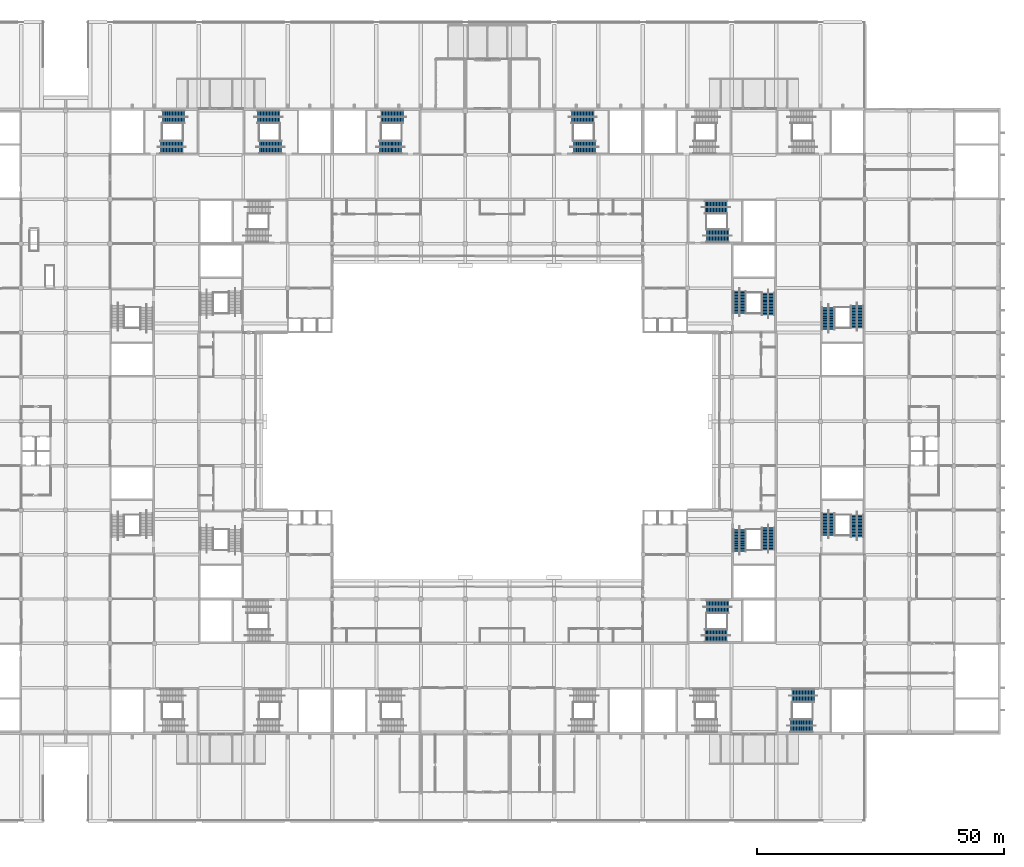
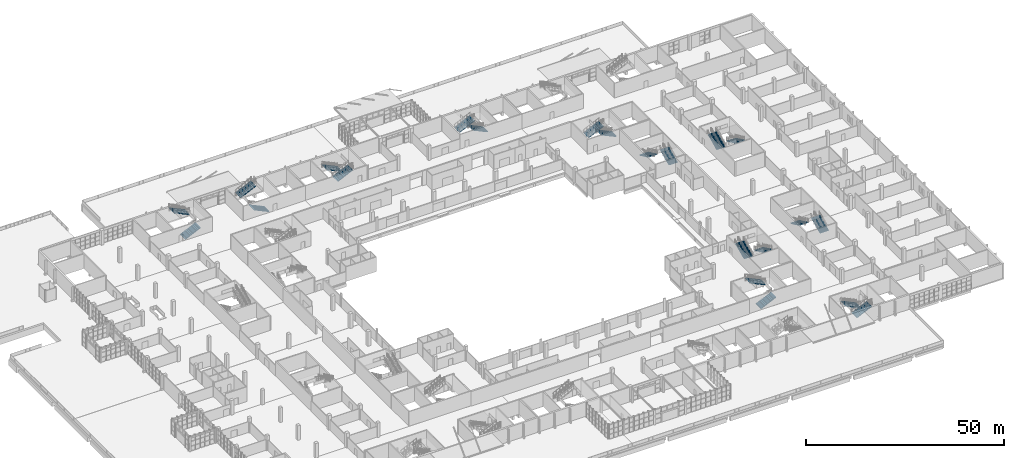
# One storey, part 110 of 168: 22 stair flights, 11 elements without a shape of their own.
"""IFC4 building model written with IfcOpenShell, lengths in metres."""

from ifc_helpers import new_model, si_unit, direction, frame, origin, place, context, subcontext, project, spatial, polyline, outline, extrude, material, type_object, element, aggregate, save


model = new_model("IFC4")

# Units and contexts
model_context = context("Model", 3, precision=1e-05, world=origin(), true_north=direction((0.0, 1.0)))
body_context = subcontext(model_context, "Body", "Model", "MODEL_VIEW")
ifc_project = project(units=[si_unit("LENGTHUNIT", "METRE"), si_unit("AREAUNIT", "SQUARE_METRE"), si_unit("VOLUMEUNIT", "CUBIC_METRE"), si_unit("PLANEANGLEUNIT", "RADIAN"), si_unit("MASSUNIT", "GRAM", prefix="KILO")], contexts=[model_context])

# Site, building, storey
site_placement = place(None, origin())
site = spatial("IfcSite", under=ifc_project, at=site_placement, CompositionType="ELEMENT")
building_placement = place(site_placement, origin())
building = spatial("IfcBuilding", under=site, at=building_placement, Name="Silverbay Arena", CompositionType="ELEMENT")
storey_placement = place(building_placement, frame((0.0, 0.0, 7.0)))
storey = spatial("IfcBuildingStorey", under=building, at=storey_placement, Name="L01", CompositionType="ELEMENT", Elevation=7.0)

# Stair, stair flights
ifc_material_1 = material(Name="Concrete Grade C45", Category="concrete")
stair_type = type_object("IfcStairType", Name="Stair 2600 wide 32 risers 140.6 x 300", PredefinedType="HALF_TURN_STAIR", material=ifc_material_1)
stair_1_placement = place(storey_placement, origin())
stair_1 = element("IfcStair", 1, at=stair_1_placement, inside=storey, type_object=stair_type, Name="Stair ST-N1 L01 to L02", PredefinedType="HALF_TURN_STAIR")
ifc_material_2 = material(Name="Concrete Grade C45", Category="concrete")
stair_flight_type = type_object("IfcStairFlightType", Name="Stair flight 2600 wide 16 risers 140.6 x 300", PredefinedType="STRAIGHT", material=ifc_material_2)
stair_flight_1_placement = place(storey_placement, frame((88.75341796875, 136.60009765625, 0.0), z_axis=(0.0, 0.0, 1.0), x_axis=(-1.0, 0.0, 0.0)))
stair_flight_1 = element("IfcStairFlight", 2, at=stair_flight_1_placement, type_object=stair_flight_type, Name="Stair ST-N1 L01 to L02 flight 1", NumberOfRisers=16, NumberOfTreads=15, PredefinedType="STRAIGHT", RiserHeight=0.140625, TreadLength=0.3, context=body_context, shape_type="SweptSolid", body=[
    extrude(outline(polyline([(0.0, 0.0), (0.0, 0.140625), (0.300048828125, 0.140625), (0.300048828125, 0.28125), (0.60009765625, 0.28125), (0.60009765625, 0.421875), (0.89990234375, 0.421875), (0.89990234375, 0.5625), (1.199951171875, 0.5625), (1.199951171875, 0.703125), (1.5, 0.703125), (1.5, 0.84375), (1.800048828125, 0.84375), (1.800048828125, 0.984375), (2.10009765625, 0.984375), (2.10009765625, 1.125), (2.39990234375, 1.125), (2.39990234375, 1.265625), (2.699951171875, 1.265625), (2.699951171875, 1.40625), (3.0, 1.40625), (3.0, 1.546875), (3.300048828125, 1.546875), (3.300048828125, 1.6875), (3.60009765625, 1.6875), (3.60009765625, 1.828125), (3.89990234375, 1.828125), (3.89990234375, 1.96875), (4.199951171875, 1.96875), (4.199951171875, 2.109375), (4.5, 2.109375), (4.5, 1.94384765625), (0.353271484375, 0.0), (0.0, 0.0)])), frame((0.0, 1.300048828125, 0.0), z_axis=(0.0, -1.0, 0.0), x_axis=(1.0, 0.0, 0.0)), (0.0, 0.0, 1.0), 2.60009765625),
])
stair_flight_2_placement = place(storey_placement, frame((83.89990234375, 142.699951171875, 2.25), z_axis=(0.0, 0.0, 1.0), x_axis=(1.0, 0.0, 0.0)))
stair_flight_2 = element("IfcStairFlight", 3, at=stair_flight_2_placement, type_object=stair_flight_type, Name="Stair ST-N1 L01 to L02 flight 2", NumberOfRisers=16, NumberOfTreads=15, PredefinedType="STRAIGHT", RiserHeight=0.140625, TreadLength=0.3, context=body_context, shape_type="SweptSolid", body=[
    extrude(outline(polyline([(0.0, 0.0), (0.0, 0.140625), (0.300048828125, 0.140625), (0.300048828125, 0.28125), (0.60009765625, 0.28125), (0.60009765625, 0.421875), (0.89990234375, 0.421875), (0.89990234375, 0.5625), (1.199951171875, 0.5625), (1.199951171875, 0.703125), (1.5, 0.703125), (1.5, 0.84375), (1.800048828125, 0.84375), (1.800048828125, 0.984375), (2.10009765625, 0.984375), (2.10009765625, 1.125), (2.39990234375, 1.125), (2.39990234375, 1.265625), (2.699951171875, 1.265625), (2.699951171875, 1.40625), (3.0, 1.40625), (3.0, 1.546875), (3.300048828125, 1.546875), (3.300048828125, 1.6875), (3.60009765625, 1.6875), (3.60009765625, 1.828125), (3.89990234375, 1.828125), (3.89990234375, 1.96875), (4.199951171875, 1.96875), (4.199951171875, 2.109375), (4.5, 2.109375), (4.5, 1.94384765625), (0.353271484375, 0.0), (0.0, 0.0)])), frame((0.0, 1.300048828125, 0.0), z_axis=(0.0, -1.0, 0.0), x_axis=(1.0, 0.0, 0.0)), (0.0, 0.0, 1.0), 2.60009765625),
])
aggregate(stair_1, [stair_flight_1, stair_flight_2])

stair_2_placement = place(storey_placement, origin())
stair_2 = element("IfcStair", 4, at=stair_2_placement, inside=storey, type_object=stair_type, Name="Stair ST-N2 L01 to L02", PredefinedType="HALF_TURN_STAIR")
stair_flight_3_placement = place(storey_placement, frame((113.453369140625, 142.699951171875, 0.0), z_axis=(0.0, 0.0, 1.0), x_axis=(-1.0, 0.0, 0.0)))
stair_flight_3 = element("IfcStairFlight", 5, at=stair_flight_3_placement, type_object=stair_flight_type, Name="Stair ST-N2 L01 to L02 flight 1", NumberOfRisers=16, NumberOfTreads=15, PredefinedType="STRAIGHT", RiserHeight=0.140625, TreadLength=0.3, context=body_context, shape_type="SweptSolid", body=[
    extrude(outline(polyline([(0.0, 0.0), (0.0, 0.140625), (0.300048828125, 0.140625), (0.300048828125, 0.28125), (0.60009765625, 0.28125), (0.60009765625, 0.421875), (0.89990234375, 0.421875), (0.89990234375, 0.5625), (1.199951171875, 0.5625), (1.199951171875, 0.703125), (1.5, 0.703125), (1.5, 0.84375), (1.800048828125, 0.84375), (1.800048828125, 0.984375), (2.10009765625, 0.984375), (2.10009765625, 1.125), (2.39990234375, 1.125), (2.39990234375, 1.265625), (2.699951171875, 1.265625), (2.699951171875, 1.40625), (3.0, 1.40625), (3.0, 1.546875), (3.300048828125, 1.546875), (3.300048828125, 1.6875), (3.60009765625, 1.6875), (3.60009765625, 1.828125), (3.89990234375, 1.828125), (3.89990234375, 1.96875), (4.199951171875, 1.96875), (4.199951171875, 2.109375), (4.5, 2.109375), (4.5, 1.94384765625), (0.353271484375, 0.0), (0.0, 0.0)])), frame((0.0, 1.300048828125, 0.0), z_axis=(0.0, -1.0, 0.0), x_axis=(1.0, 0.0, 0.0)), (0.0, 0.0, 1.0), 2.60009765625),
])
stair_flight_4_placement = place(storey_placement, frame((108.60009765625, 136.60009765625, 2.25), z_axis=(0.0, 0.0, 1.0), x_axis=(1.0, 0.0, 0.0)))
stair_flight_4 = element("IfcStairFlight", 6, at=stair_flight_4_placement, type_object=stair_flight_type, Name="Stair ST-N2 L01 to L02 flight 2", NumberOfRisers=16, NumberOfTreads=15, PredefinedType="STRAIGHT", RiserHeight=0.140625, TreadLength=0.3, context=body_context, shape_type="SweptSolid", body=[
    extrude(outline(polyline([(0.0, 0.0), (0.0, 0.140625), (0.300048828125, 0.140625), (0.300048828125, 0.28125), (0.60009765625, 0.28125), (0.60009765625, 0.421875), (0.89990234375, 0.421875), (0.89990234375, 0.5625), (1.199951171875, 0.5625), (1.199951171875, 0.703125), (1.5, 0.703125), (1.5, 0.84375), (1.800048828125, 0.84375), (1.800048828125, 0.984375), (2.10009765625, 0.984375), (2.10009765625, 1.125), (2.39990234375, 1.125), (2.39990234375, 1.265625), (2.699951171875, 1.265625), (2.699951171875, 1.40625), (3.0, 1.40625), (3.0, 1.546875), (3.300048828125, 1.546875), (3.300048828125, 1.6875), (3.60009765625, 1.6875), (3.60009765625, 1.828125), (3.89990234375, 1.828125), (3.89990234375, 1.96875), (4.199951171875, 1.96875), (4.199951171875, 2.109375), (4.5, 2.109375), (4.5, 1.94384765625), (0.353271484375, 0.0), (0.0, 0.0)])), frame((0.0, 1.300048828125, 0.0), z_axis=(0.0, -1.0, 0.0), x_axis=(1.0, 0.0, 0.0)), (0.0, 0.0, 1.0), 2.60009765625),
])
aggregate(stair_2, [stair_flight_3, stair_flight_4])

stair_3_placement = place(storey_placement, origin())
stair_3 = element("IfcStair", 7, at=stair_3_placement, inside=storey, type_object=stair_type, Name="Stair ST-N3 L01 to L02", PredefinedType="HALF_TURN_STAIR")
stair_flight_5_placement = place(storey_placement, frame((147.546630859375, 142.699951171875, 0.0), z_axis=(0.0, 0.0, 1.0), x_axis=(1.0, 0.0, 0.0)))
stair_flight_5 = element("IfcStairFlight", 8, at=stair_flight_5_placement, type_object=stair_flight_type, Name="Stair ST-N3 L01 to L02 flight 1", NumberOfRisers=16, NumberOfTreads=15, PredefinedType="STRAIGHT", RiserHeight=0.140625, TreadLength=0.3, context=body_context, shape_type="SweptSolid", body=[
    extrude(outline(polyline([(0.0, 0.0), (0.0, 0.140625), (0.300048828125, 0.140625), (0.300048828125, 0.28125), (0.60009765625, 0.28125), (0.60009765625, 0.421875), (0.89990234375, 0.421875), (0.89990234375, 0.5625), (1.199951171875, 0.5625), (1.199951171875, 0.703125), (1.5, 0.703125), (1.5, 0.84375), (1.800048828125, 0.84375), (1.800048828125, 0.984375), (2.10009765625, 0.984375), (2.10009765625, 1.125), (2.39990234375, 1.125), (2.39990234375, 1.265625), (2.699951171875, 1.265625), (2.699951171875, 1.40625), (3.0, 1.40625), (3.0, 1.546875), (3.300048828125, 1.546875), (3.300048828125, 1.6875), (3.60009765625, 1.6875), (3.60009765625, 1.828125), (3.89990234375, 1.828125), (3.89990234375, 1.96875), (4.199951171875, 1.96875), (4.199951171875, 2.109375), (4.5, 2.109375), (4.5, 1.94384765625), (0.353271484375, 0.0), (0.0, 0.0)])), frame((0.0, 1.300048828125, 0.0), z_axis=(0.0, -1.0, 0.0), x_axis=(1.0, 0.0, 0.0)), (0.0, 0.0, 1.0), 2.60009765625),
])
stair_flight_6_placement = place(storey_placement, frame((152.39990234375, 136.60009765625, 2.25), z_axis=(0.0, 0.0, 1.0), x_axis=(-1.0, 0.0, 0.0)))
stair_flight_6 = element("IfcStairFlight", 9, at=stair_flight_6_placement, type_object=stair_flight_type, Name="Stair ST-N3 L01 to L02 flight 2", NumberOfRisers=16, NumberOfTreads=15, PredefinedType="STRAIGHT", RiserHeight=0.140625, TreadLength=0.3, context=body_context, shape_type="SweptSolid", body=[
    extrude(outline(polyline([(0.0, 0.0), (0.0, 0.140625), (0.300048828125, 0.140625), (0.300048828125, 0.28125), (0.60009765625, 0.28125), (0.60009765625, 0.421875), (0.89990234375, 0.421875), (0.89990234375, 0.5625), (1.199951171875, 0.5625), (1.199951171875, 0.703125), (1.5, 0.703125), (1.5, 0.84375), (1.800048828125, 0.84375), (1.800048828125, 0.984375), (2.10009765625, 0.984375), (2.10009765625, 1.125), (2.39990234375, 1.125), (2.39990234375, 1.265625), (2.699951171875, 1.265625), (2.699951171875, 1.40625), (3.0, 1.40625), (3.0, 1.546875), (3.300048828125, 1.546875), (3.300048828125, 1.6875), (3.60009765625, 1.6875), (3.60009765625, 1.828125), (3.89990234375, 1.828125), (3.89990234375, 1.96875), (4.199951171875, 1.96875), (4.199951171875, 2.109375), (4.5, 2.109375), (4.5, 1.94384765625), (0.353271484375, 0.0), (0.0, 0.0)])), frame((0.0, 1.300048828125, 0.0), z_axis=(0.0, -1.0, 0.0), x_axis=(1.0, 0.0, 0.0)), (0.0, 0.0, 1.0), 2.60009765625),
])
aggregate(stair_3, [stair_flight_5, stair_flight_6])

stair_4_placement = place(storey_placement, origin())
stair_4 = element("IfcStair", 10, at=stair_4_placement, inside=storey, type_object=stair_type, Name="Stair ST-S6 L01 to L02", PredefinedType="HALF_TURN_STAIR")
stair_flight_7_placement = place(storey_placement, frame((196.75341796875, 25.39990234375, 0.0), z_axis=(0.0, 0.0, 1.0), x_axis=(-1.0, 0.0, 0.0)))
stair_flight_7 = element("IfcStairFlight", 11, at=stair_flight_7_placement, type_object=stair_flight_type, Name="Stair ST-S6 L01 to L02 flight 1", NumberOfRisers=16, NumberOfTreads=15, PredefinedType="STRAIGHT", RiserHeight=0.140625, TreadLength=0.3, context=body_context, shape_type="SweptSolid", body=[
    extrude(outline(polyline([(0.0, 0.0), (0.0, 0.140625), (0.300048828125, 0.140625), (0.300048828125, 0.28125), (0.60009765625, 0.28125), (0.60009765625, 0.421875), (0.89990234375, 0.421875), (0.89990234375, 0.5625), (1.199951171875, 0.5625), (1.199951171875, 0.703125), (1.5, 0.703125), (1.5, 0.84375), (1.800048828125, 0.84375), (1.800048828125, 0.984375), (2.10009765625, 0.984375), (2.10009765625, 1.125), (2.39990234375, 1.125), (2.39990234375, 1.265625), (2.699951171875, 1.265625), (2.699951171875, 1.40625), (3.0, 1.40625), (3.0, 1.546875), (3.300048828125, 1.546875), (3.300048828125, 1.6875), (3.60009765625, 1.6875), (3.60009765625, 1.828125), (3.89990234375, 1.828125), (3.89990234375, 1.96875), (4.199951171875, 1.96875), (4.199951171875, 2.109375), (4.5, 2.109375), (4.5, 1.94384765625), (0.353271484375, 0.0), (0.0, 0.0)])), frame((0.0, 1.300048828125, 0.0), z_axis=(0.0, -1.0, 0.0), x_axis=(1.0, 0.0, 0.0)), (0.0, 0.0, 1.0), 2.60009765625),
])
stair_flight_8_placement = place(storey_placement, frame((191.89990234375, 19.300048828125, 2.25), z_axis=(0.0, 0.0, 1.0), x_axis=(1.0, 0.0, 0.0)))
stair_flight_8 = element("IfcStairFlight", 12, at=stair_flight_8_placement, type_object=stair_flight_type, Name="Stair ST-S6 L01 to L02 flight 2", NumberOfRisers=16, NumberOfTreads=15, PredefinedType="STRAIGHT", RiserHeight=0.140625, TreadLength=0.3, context=body_context, shape_type="SweptSolid", body=[
    extrude(outline(polyline([(0.0, 0.0), (0.0, 0.140625), (0.300048828125, 0.140625), (0.300048828125, 0.28125), (0.60009765625, 0.28125), (0.60009765625, 0.421875), (0.89990234375, 0.421875), (0.89990234375, 0.5625), (1.199951171875, 0.5625), (1.199951171875, 0.703125), (1.5, 0.703125), (1.5, 0.84375), (1.800048828125, 0.84375), (1.800048828125, 0.984375), (2.10009765625, 0.984375), (2.10009765625, 1.125), (2.39990234375, 1.125), (2.39990234375, 1.265625), (2.699951171875, 1.265625), (2.699951171875, 1.40625), (3.0, 1.40625), (3.0, 1.546875), (3.300048828125, 1.546875), (3.300048828125, 1.6875), (3.60009765625, 1.6875), (3.60009765625, 1.828125), (3.89990234375, 1.828125), (3.89990234375, 1.96875), (4.199951171875, 1.96875), (4.199951171875, 2.109375), (4.5, 2.109375), (4.5, 1.94384765625), (0.353271484375, 0.0), (0.0, 0.0)])), frame((0.0, 1.300048828125, 0.0), z_axis=(0.0, -1.0, 0.0), x_axis=(1.0, 0.0, 0.0)), (0.0, 0.0, 1.0), 2.60009765625),
])
aggregate(stair_4, [stair_flight_7, stair_flight_8])

stair_5_placement = place(storey_placement, origin())
stair_5 = element("IfcStair", 13, at=stair_5_placement, inside=storey, type_object=stair_type, Name="Stair ST-N5 L01 to L02", PredefinedType="HALF_TURN_STAIR")
stair_flight_9_placement = place(storey_placement, frame((64.24658203125, 136.60009765625, 0.0), z_axis=(0.0, 0.0, 1.0), x_axis=(1.0, 0.0, 0.0)))
stair_flight_9 = element("IfcStairFlight", 14, at=stair_flight_9_placement, type_object=stair_flight_type, Name="Stair ST-N5 L01 to L02 flight 1", NumberOfRisers=16, NumberOfTreads=15, PredefinedType="STRAIGHT", RiserHeight=0.140625, TreadLength=0.3, context=body_context, shape_type="SweptSolid", body=[
    extrude(outline(polyline([(0.0, 0.0), (0.0, 0.140625), (0.300048828125, 0.140625), (0.300048828125, 0.28125), (0.60009765625, 0.28125), (0.60009765625, 0.421875), (0.89990234375, 0.421875), (0.89990234375, 0.5625), (1.199951171875, 0.5625), (1.199951171875, 0.703125), (1.5, 0.703125), (1.5, 0.84375), (1.800048828125, 0.84375), (1.800048828125, 0.984375), (2.10009765625, 0.984375), (2.10009765625, 1.125), (2.39990234375, 1.125), (2.39990234375, 1.265625), (2.699951171875, 1.265625), (2.699951171875, 1.40625), (3.0, 1.40625), (3.0, 1.546875), (3.300048828125, 1.546875), (3.300048828125, 1.6875), (3.60009765625, 1.6875), (3.60009765625, 1.828125), (3.89990234375, 1.828125), (3.89990234375, 1.96875), (4.199951171875, 1.96875), (4.199951171875, 2.109375), (4.5, 2.109375), (4.5, 1.94384765625), (0.353271484375, 0.0), (0.0, 0.0)])), frame((0.0, 1.300048828125, 0.0), z_axis=(0.0, -1.0, 0.0), x_axis=(1.0, 0.0, 0.0)), (0.0, 0.0, 1.0), 2.60009765625),
])
stair_flight_10_placement = place(storey_placement, frame((69.10009765625, 142.699951171875, 2.25), z_axis=(0.0, 0.0, 1.0), x_axis=(-1.0, 0.0, 0.0)))
stair_flight_10 = element("IfcStairFlight", 15, at=stair_flight_10_placement, type_object=stair_flight_type, Name="Stair ST-N5 L01 to L02 flight 2", NumberOfRisers=16, NumberOfTreads=15, PredefinedType="STRAIGHT", RiserHeight=0.140625, TreadLength=0.3, context=body_context, shape_type="SweptSolid", body=[
    extrude(outline(polyline([(0.0, 0.0), (0.0, 0.140625), (0.300048828125, 0.140625), (0.300048828125, 0.28125), (0.60009765625, 0.28125), (0.60009765625, 0.421875), (0.89990234375, 0.421875), (0.89990234375, 0.5625), (1.199951171875, 0.5625), (1.199951171875, 0.703125), (1.5, 0.703125), (1.5, 0.84375), (1.800048828125, 0.84375), (1.800048828125, 0.984375), (2.10009765625, 0.984375), (2.10009765625, 1.125), (2.39990234375, 1.125), (2.39990234375, 1.265625), (2.699951171875, 1.265625), (2.699951171875, 1.40625), (3.0, 1.40625), (3.0, 1.546875), (3.300048828125, 1.546875), (3.300048828125, 1.6875), (3.60009765625, 1.6875), (3.60009765625, 1.828125), (3.89990234375, 1.828125), (3.89990234375, 1.96875), (4.199951171875, 1.96875), (4.199951171875, 2.109375), (4.5, 2.109375), (4.5, 1.94384765625), (0.353271484375, 0.0), (0.0, 0.0)])), frame((0.0, 1.300048828125, 0.0), z_axis=(0.0, -1.0, 0.0), x_axis=(1.0, 0.0, 0.0)), (0.0, 0.0, 1.0), 2.60009765625),
])
aggregate(stair_5, [stair_flight_9, stair_flight_10])

stair_6_placement = place(storey_placement, origin())
stair_6 = element("IfcStair", 16, at=stair_6_placement, inside=storey, type_object=stair_type, Name="Stair ST-E1 L01 to L02", PredefinedType="HALF_TURN_STAIR")
stair_flight_11_placement = place(storey_placement, frame((205.39990234375, 57.546630859375, 0.0), z_axis=(0.0, 0.0, 1.0), x_axis=(0.0, 1.0, 0.0)))
stair_flight_11 = element("IfcStairFlight", 17, at=stair_flight_11_placement, type_object=stair_flight_type, Name="Stair ST-E1 L01 to L02 flight 1", NumberOfRisers=16, NumberOfTreads=15, PredefinedType="STRAIGHT", RiserHeight=0.140625, TreadLength=0.3, context=body_context, shape_type="SweptSolid", body=[
    extrude(outline(polyline([(0.0, 0.0), (0.0, 0.140625), (0.300048828125, 0.140625), (0.300048828125, 0.28125), (0.60009765625, 0.28125), (0.60009765625, 0.421875), (0.89990234375, 0.421875), (0.89990234375, 0.5625), (1.199951171875, 0.5625), (1.199951171875, 0.703125), (1.5, 0.703125), (1.5, 0.84375), (1.800048828125, 0.84375), (1.800048828125, 0.984375), (2.10009765625, 0.984375), (2.10009765625, 1.125), (2.39990234375, 1.125), (2.39990234375, 1.265625), (2.699951171875, 1.265625), (2.699951171875, 1.40625), (3.0, 1.40625), (3.0, 1.546875), (3.300048828125, 1.546875), (3.300048828125, 1.6875), (3.60009765625, 1.6875), (3.60009765625, 1.828125), (3.89990234375, 1.828125), (3.89990234375, 1.96875), (4.199951171875, 1.96875), (4.199951171875, 2.109375), (4.5, 2.109375), (4.5, 1.94384765625), (0.353271484375, 0.0), (0.0, 0.0)])), frame((0.0, 1.300048828125, 0.0), z_axis=(0.0, -1.0, 0.0), x_axis=(1.0, 0.0, 0.0)), (0.0, 0.0, 1.0), 2.60009765625),
])
stair_flight_12_placement = place(storey_placement, frame((199.60009765625, 62.39990234375, 2.25), z_axis=(0.0, 0.0, 1.0), x_axis=(0.0, -1.0, 0.0)))
stair_flight_12 = element("IfcStairFlight", 18, at=stair_flight_12_placement, type_object=stair_flight_type, Name="Stair ST-E1 L01 to L02 flight 2", NumberOfRisers=16, NumberOfTreads=15, PredefinedType="STRAIGHT", RiserHeight=0.140625, TreadLength=0.3, context=body_context, shape_type="SweptSolid", body=[
    extrude(outline(polyline([(0.0, 0.0), (0.0, 0.140625), (0.300048828125, 0.140625), (0.300048828125, 0.28125), (0.60009765625, 0.28125), (0.60009765625, 0.421875), (0.89990234375, 0.421875), (0.89990234375, 0.5625), (1.199951171875, 0.5625), (1.199951171875, 0.703125), (1.5, 0.703125), (1.5, 0.84375), (1.800048828125, 0.84375), (1.800048828125, 0.984375), (2.10009765625, 0.984375), (2.10009765625, 1.125), (2.39990234375, 1.125), (2.39990234375, 1.265625), (2.699951171875, 1.265625), (2.699951171875, 1.40625), (3.0, 1.40625), (3.0, 1.546875), (3.300048828125, 1.546875), (3.300048828125, 1.6875), (3.60009765625, 1.6875), (3.60009765625, 1.828125), (3.89990234375, 1.828125), (3.89990234375, 1.96875), (4.199951171875, 1.96875), (4.199951171875, 2.109375), (4.5, 2.109375), (4.5, 1.94384765625), (0.353271484375, 0.0), (0.0, 0.0)])), frame((0.0, 1.300048828125, 0.0), z_axis=(0.0, -1.0, 0.0), x_axis=(1.0, 0.0, 0.0)), (0.0, 0.0, 1.0), 2.60009765625),
])
aggregate(stair_6, [stair_flight_11, stair_flight_12])

stair_7_placement = place(storey_placement, origin())
stair_7 = element("IfcStair", 19, at=stair_7_placement, inside=storey, type_object=stair_type, Name="Stair ST-E2 L01 to L02", PredefinedType="HALF_TURN_STAIR")
stair_flight_13_placement = place(storey_placement, frame((205.39990234375, 104.453369140625, 0.0), z_axis=(0.0, 0.0, 1.0), x_axis=(0.0, -1.0, 0.0)))
stair_flight_13 = element("IfcStairFlight", 20, at=stair_flight_13_placement, type_object=stair_flight_type, Name="Stair ST-E2 L01 to L02 flight 1", NumberOfRisers=16, NumberOfTreads=15, PredefinedType="STRAIGHT", RiserHeight=0.140625, TreadLength=0.3, context=body_context, shape_type="SweptSolid", body=[
    extrude(outline(polyline([(0.0, 0.0), (0.0, 0.140625), (0.300048828125, 0.140625), (0.300048828125, 0.28125), (0.60009765625, 0.28125), (0.60009765625, 0.421875), (0.89990234375, 0.421875), (0.89990234375, 0.5625), (1.199951171875, 0.5625), (1.199951171875, 0.703125), (1.5, 0.703125), (1.5, 0.84375), (1.800048828125, 0.84375), (1.800048828125, 0.984375), (2.10009765625, 0.984375), (2.10009765625, 1.125), (2.39990234375, 1.125), (2.39990234375, 1.265625), (2.699951171875, 1.265625), (2.699951171875, 1.40625), (3.0, 1.40625), (3.0, 1.546875), (3.300048828125, 1.546875), (3.300048828125, 1.6875), (3.60009765625, 1.6875), (3.60009765625, 1.828125), (3.89990234375, 1.828125), (3.89990234375, 1.96875), (4.199951171875, 1.96875), (4.199951171875, 2.109375), (4.5, 2.109375), (4.5, 1.94384765625), (0.353271484375, 0.0), (0.0, 0.0)])), frame((0.0, 1.300048828125, 0.0), z_axis=(0.0, -1.0, 0.0), x_axis=(1.0, 0.0, 0.0)), (0.0, 0.0, 1.0), 2.60009765625),
])
stair_flight_14_placement = place(storey_placement, frame((199.60009765625, 99.60009765625, 2.25), z_axis=(0.0, 0.0, 1.0), x_axis=(0.0, 1.0, 0.0)))
stair_flight_14 = element("IfcStairFlight", 21, at=stair_flight_14_placement, type_object=stair_flight_type, Name="Stair ST-E2 L01 to L02 flight 2", NumberOfRisers=16, NumberOfTreads=15, PredefinedType="STRAIGHT", RiserHeight=0.140625, TreadLength=0.3, context=body_context, shape_type="SweptSolid", body=[
    extrude(outline(polyline([(0.0, 0.0), (0.0, 0.140625), (0.300048828125, 0.140625), (0.300048828125, 0.28125), (0.60009765625, 0.28125), (0.60009765625, 0.421875), (0.89990234375, 0.421875), (0.89990234375, 0.5625), (1.199951171875, 0.5625), (1.199951171875, 0.703125), (1.5, 0.703125), (1.5, 0.84375), (1.800048828125, 0.84375), (1.800048828125, 0.984375), (2.10009765625, 0.984375), (2.10009765625, 1.125), (2.39990234375, 1.125), (2.39990234375, 1.265625), (2.699951171875, 1.265625), (2.699951171875, 1.40625), (3.0, 1.40625), (3.0, 1.546875), (3.300048828125, 1.546875), (3.300048828125, 1.6875), (3.60009765625, 1.6875), (3.60009765625, 1.828125), (3.89990234375, 1.828125), (3.89990234375, 1.96875), (4.199951171875, 1.96875), (4.199951171875, 2.109375), (4.5, 2.109375), (4.5, 1.94384765625), (0.353271484375, 0.0), (0.0, 0.0)])), frame((0.0, 1.300048828125, 0.0), z_axis=(0.0, -1.0, 0.0), x_axis=(1.0, 0.0, 0.0)), (0.0, 0.0, 1.0), 2.60009765625),
])
aggregate(stair_7, [stair_flight_13, stair_flight_14])

stair_8_placement = place(storey_placement, origin())
stair_8 = element("IfcStair", 22, at=stair_8_placement, inside=storey, type_object=stair_type, Name="Stair ST-SE1 L01 to L02", PredefinedType="HALF_TURN_STAIR")
stair_flight_15_placement = place(storey_placement, frame((174.546630859375, 37.60009765625, 0.0), z_axis=(0.0, 0.0, 1.0), x_axis=(1.0, 0.0, 0.0)))
stair_flight_15 = element("IfcStairFlight", 23, at=stair_flight_15_placement, type_object=stair_flight_type, Name="Stair ST-SE1 L01 to L02 flight 1", NumberOfRisers=16, NumberOfTreads=15, PredefinedType="STRAIGHT", RiserHeight=0.140625, TreadLength=0.3, context=body_context, shape_type="SweptSolid", body=[
    extrude(outline(polyline([(0.0, 0.0), (0.0, 0.140625), (0.300048828125, 0.140625), (0.300048828125, 0.28125), (0.60009765625, 0.28125), (0.60009765625, 0.421875), (0.89990234375, 0.421875), (0.89990234375, 0.5625), (1.199951171875, 0.5625), (1.199951171875, 0.703125), (1.5, 0.703125), (1.5, 0.84375), (1.800048828125, 0.84375), (1.800048828125, 0.984375), (2.10009765625, 0.984375), (2.10009765625, 1.125), (2.39990234375, 1.125), (2.39990234375, 1.265625), (2.699951171875, 1.265625), (2.699951171875, 1.40625), (3.0, 1.40625), (3.0, 1.546875), (3.300048828125, 1.546875), (3.300048828125, 1.6875), (3.60009765625, 1.6875), (3.60009765625, 1.828125), (3.89990234375, 1.828125), (3.89990234375, 1.96875), (4.199951171875, 1.96875), (4.199951171875, 2.109375), (4.5, 2.109375), (4.5, 1.94384765625), (0.353271484375, 0.0), (0.0, 0.0)])), frame((0.0, 1.300048828125, 0.0), z_axis=(0.0, -1.0, 0.0), x_axis=(1.0, 0.0, 0.0)), (0.0, 0.0, 1.0), 2.60009765625),
])
stair_flight_16_placement = place(storey_placement, frame((179.39990234375, 43.39990234375, 2.25), z_axis=(0.0, 0.0, 1.0), x_axis=(-1.0, 0.0, 0.0)))
stair_flight_16 = element("IfcStairFlight", 24, at=stair_flight_16_placement, type_object=stair_flight_type, Name="Stair ST-SE1 L01 to L02 flight 2", NumberOfRisers=16, NumberOfTreads=15, PredefinedType="STRAIGHT", RiserHeight=0.140625, TreadLength=0.3, context=body_context, shape_type="SweptSolid", body=[
    extrude(outline(polyline([(0.0, 0.0), (0.0, 0.140625), (0.300048828125, 0.140625), (0.300048828125, 0.28125), (0.60009765625, 0.28125), (0.60009765625, 0.421875), (0.89990234375, 0.421875), (0.89990234375, 0.5625), (1.199951171875, 0.5625), (1.199951171875, 0.703125), (1.5, 0.703125), (1.5, 0.84375), (1.800048828125, 0.84375), (1.800048828125, 0.984375), (2.10009765625, 0.984375), (2.10009765625, 1.125), (2.39990234375, 1.125), (2.39990234375, 1.265625), (2.699951171875, 1.265625), (2.699951171875, 1.40625), (3.0, 1.40625), (3.0, 1.546875), (3.300048828125, 1.546875), (3.300048828125, 1.6875), (3.60009765625, 1.6875), (3.60009765625, 1.828125), (3.89990234375, 1.828125), (3.89990234375, 1.96875), (4.199951171875, 1.96875), (4.199951171875, 2.109375), (4.5, 2.109375), (4.5, 1.94384765625), (0.353271484375, 0.0), (0.0, 0.0)])), frame((0.0, 1.300048828125, 0.0), z_axis=(0.0, -1.0, 0.0), x_axis=(1.0, 0.0, 0.0)), (0.0, 0.0, 1.0), 2.60009765625),
])
aggregate(stair_8, [stair_flight_15, stair_flight_16])

stair_9_placement = place(storey_placement, origin())
stair_9 = element("IfcStair", 25, at=stair_9_placement, inside=storey, type_object=stair_type, Name="Stair ST-SE2 L01 to L02", PredefinedType="HALF_TURN_STAIR")
stair_flight_17_placement = place(storey_placement, frame((187.39990234375, 59.453369140625, 0.0), z_axis=(0.0, 0.0, 1.0), x_axis=(0.0, -1.0, 0.0)))
stair_flight_17 = element("IfcStairFlight", 26, at=stair_flight_17_placement, type_object=stair_flight_type, Name="Stair ST-SE2 L01 to L02 flight 1", NumberOfRisers=16, NumberOfTreads=15, PredefinedType="STRAIGHT", RiserHeight=0.140625, TreadLength=0.3, context=body_context, shape_type="SweptSolid", body=[
    extrude(outline(polyline([(0.0, 0.0), (0.0, 0.140625), (0.300048828125, 0.140625), (0.300048828125, 0.28125), (0.60009765625, 0.28125), (0.60009765625, 0.421875), (0.89990234375, 0.421875), (0.89990234375, 0.5625), (1.199951171875, 0.5625), (1.199951171875, 0.703125), (1.5, 0.703125), (1.5, 0.84375), (1.800048828125, 0.84375), (1.800048828125, 0.984375), (2.10009765625, 0.984375), (2.10009765625, 1.125), (2.39990234375, 1.125), (2.39990234375, 1.265625), (2.699951171875, 1.265625), (2.699951171875, 1.40625), (3.0, 1.40625), (3.0, 1.546875), (3.300048828125, 1.546875), (3.300048828125, 1.6875), (3.60009765625, 1.6875), (3.60009765625, 1.828125), (3.89990234375, 1.828125), (3.89990234375, 1.96875), (4.199951171875, 1.96875), (4.199951171875, 2.109375), (4.5, 2.109375), (4.5, 1.94384765625), (0.353271484375, 0.0), (0.0, 0.0)])), frame((0.0, 1.300048828125, 0.0), z_axis=(0.0, -1.0, 0.0), x_axis=(1.0, 0.0, 0.0)), (0.0, 0.0, 1.0), 2.60009765625),
])
stair_flight_18_placement = place(storey_placement, frame((181.60009765625, 54.60009765625, 2.25), z_axis=(0.0, 0.0, 1.0), x_axis=(0.0, 1.0, 0.0)))
stair_flight_18 = element("IfcStairFlight", 27, at=stair_flight_18_placement, type_object=stair_flight_type, Name="Stair ST-SE2 L01 to L02 flight 2", NumberOfRisers=16, NumberOfTreads=15, PredefinedType="STRAIGHT", RiserHeight=0.140625, TreadLength=0.3, context=body_context, shape_type="SweptSolid", body=[
    extrude(outline(polyline([(0.0, 0.0), (0.0, 0.140625), (0.300048828125, 0.140625), (0.300048828125, 0.28125), (0.60009765625, 0.28125), (0.60009765625, 0.421875), (0.89990234375, 0.421875), (0.89990234375, 0.5625), (1.199951171875, 0.5625), (1.199951171875, 0.703125), (1.5, 0.703125), (1.5, 0.84375), (1.800048828125, 0.84375), (1.800048828125, 0.984375), (2.10009765625, 0.984375), (2.10009765625, 1.125), (2.39990234375, 1.125), (2.39990234375, 1.265625), (2.699951171875, 1.265625), (2.699951171875, 1.40625), (3.0, 1.40625), (3.0, 1.546875), (3.300048828125, 1.546875), (3.300048828125, 1.6875), (3.60009765625, 1.6875), (3.60009765625, 1.828125), (3.89990234375, 1.828125), (3.89990234375, 1.96875), (4.199951171875, 1.96875), (4.199951171875, 2.109375), (4.5, 2.109375), (4.5, 1.94384765625), (0.353271484375, 0.0), (0.0, 0.0)])), frame((0.0, 1.300048828125, 0.0), z_axis=(0.0, -1.0, 0.0), x_axis=(1.0, 0.0, 0.0)), (0.0, 0.0, 1.0), 2.60009765625),
])
aggregate(stair_9, [stair_flight_17, stair_flight_18])

stair_10_placement = place(storey_placement, origin())
stair_10 = element("IfcStair", 28, at=stair_10_placement, inside=storey, type_object=stair_type, Name="Stair ST-NE1 L01 to L02", PredefinedType="HALF_TURN_STAIR")
stair_flight_19_placement = place(storey_placement, frame((174.546630859375, 124.39990234375, 0.0), z_axis=(0.0, 0.0, 1.0), x_axis=(1.0, 0.0, 0.0)))
stair_flight_19 = element("IfcStairFlight", 29, at=stair_flight_19_placement, type_object=stair_flight_type, Name="Stair ST-NE1 L01 to L02 flight 1", NumberOfRisers=16, NumberOfTreads=15, PredefinedType="STRAIGHT", RiserHeight=0.140625, TreadLength=0.3, context=body_context, shape_type="SweptSolid", body=[
    extrude(outline(polyline([(0.0, 0.0), (0.0, 0.140625), (0.300048828125, 0.140625), (0.300048828125, 0.28125), (0.60009765625, 0.28125), (0.60009765625, 0.421875), (0.89990234375, 0.421875), (0.89990234375, 0.5625), (1.199951171875, 0.5625), (1.199951171875, 0.703125), (1.5, 0.703125), (1.5, 0.84375), (1.800048828125, 0.84375), (1.800048828125, 0.984375), (2.10009765625, 0.984375), (2.10009765625, 1.125), (2.39990234375, 1.125), (2.39990234375, 1.265625), (2.699951171875, 1.265625), (2.699951171875, 1.40625), (3.0, 1.40625), (3.0, 1.546875), (3.300048828125, 1.546875), (3.300048828125, 1.6875), (3.60009765625, 1.6875), (3.60009765625, 1.828125), (3.89990234375, 1.828125), (3.89990234375, 1.96875), (4.199951171875, 1.96875), (4.199951171875, 2.109375), (4.5, 2.109375), (4.5, 1.94384765625), (0.353271484375, 0.0), (0.0, 0.0)])), frame((0.0, 1.300048828125, 0.0), z_axis=(0.0, -1.0, 0.0), x_axis=(1.0, 0.0, 0.0)), (0.0, 0.0, 1.0), 2.60009765625),
])
stair_flight_20_placement = place(storey_placement, frame((179.39990234375, 118.60009765625, 2.25), z_axis=(0.0, 0.0, 1.0), x_axis=(-1.0, 0.0, 0.0)))
stair_flight_20 = element("IfcStairFlight", 30, at=stair_flight_20_placement, type_object=stair_flight_type, Name="Stair ST-NE1 L01 to L02 flight 2", NumberOfRisers=16, NumberOfTreads=15, PredefinedType="STRAIGHT", RiserHeight=0.140625, TreadLength=0.3, context=body_context, shape_type="SweptSolid", body=[
    extrude(outline(polyline([(0.0, 0.0), (0.0, 0.140625), (0.300048828125, 0.140625), (0.300048828125, 0.28125), (0.60009765625, 0.28125), (0.60009765625, 0.421875), (0.89990234375, 0.421875), (0.89990234375, 0.5625), (1.199951171875, 0.5625), (1.199951171875, 0.703125), (1.5, 0.703125), (1.5, 0.84375), (1.800048828125, 0.84375), (1.800048828125, 0.984375), (2.10009765625, 0.984375), (2.10009765625, 1.125), (2.39990234375, 1.125), (2.39990234375, 1.265625), (2.699951171875, 1.265625), (2.699951171875, 1.40625), (3.0, 1.40625), (3.0, 1.546875), (3.300048828125, 1.546875), (3.300048828125, 1.6875), (3.60009765625, 1.6875), (3.60009765625, 1.828125), (3.89990234375, 1.828125), (3.89990234375, 1.96875), (4.199951171875, 1.96875), (4.199951171875, 2.109375), (4.5, 2.109375), (4.5, 1.94384765625), (0.353271484375, 0.0), (0.0, 0.0)])), frame((0.0, 1.300048828125, 0.0), z_axis=(0.0, -1.0, 0.0), x_axis=(1.0, 0.0, 0.0)), (0.0, 0.0, 1.0), 2.60009765625),
])
aggregate(stair_10, [stair_flight_19, stair_flight_20])

stair_11_placement = place(storey_placement, origin())
stair_11 = element("IfcStair", 31, at=stair_11_placement, inside=storey, type_object=stair_type, Name="Stair ST-NE2 L01 to L02", PredefinedType="HALF_TURN_STAIR")
stair_flight_21_placement = place(storey_placement, frame((187.39990234375, 102.546630859375, 0.0), z_axis=(0.0, 0.0, 1.0), x_axis=(0.0, 1.0, 0.0)))
stair_flight_21 = element("IfcStairFlight", 32, at=stair_flight_21_placement, type_object=stair_flight_type, Name="Stair ST-NE2 L01 to L02 flight 1", NumberOfRisers=16, NumberOfTreads=15, PredefinedType="STRAIGHT", RiserHeight=0.140625, TreadLength=0.3, context=body_context, shape_type="SweptSolid", body=[
    extrude(outline(polyline([(0.0, 0.0), (0.0, 0.140625), (0.300048828125, 0.140625), (0.300048828125, 0.28125), (0.60009765625, 0.28125), (0.60009765625, 0.421875), (0.89990234375, 0.421875), (0.89990234375, 0.5625), (1.199951171875, 0.5625), (1.199951171875, 0.703125), (1.5, 0.703125), (1.5, 0.84375), (1.800048828125, 0.84375), (1.800048828125, 0.984375), (2.10009765625, 0.984375), (2.10009765625, 1.125), (2.39990234375, 1.125), (2.39990234375, 1.265625), (2.699951171875, 1.265625), (2.699951171875, 1.40625), (3.0, 1.40625), (3.0, 1.546875), (3.300048828125, 1.546875), (3.300048828125, 1.6875), (3.60009765625, 1.6875), (3.60009765625, 1.828125), (3.89990234375, 1.828125), (3.89990234375, 1.96875), (4.199951171875, 1.96875), (4.199951171875, 2.109375), (4.5, 2.109375), (4.5, 1.94384765625), (0.353271484375, 0.0), (0.0, 0.0)])), frame((0.0, 1.300048828125, 0.0), z_axis=(0.0, -1.0, 0.0), x_axis=(1.0, 0.0, 0.0)), (0.0, 0.0, 1.0), 2.60009765625),
])
stair_flight_22_placement = place(storey_placement, frame((181.60009765625, 107.39990234375, 2.25), z_axis=(0.0, 0.0, 1.0), x_axis=(0.0, -1.0, 0.0)))
stair_flight_22 = element("IfcStairFlight", 33, at=stair_flight_22_placement, type_object=stair_flight_type, Name="Stair ST-NE2 L01 to L02 flight 2", NumberOfRisers=16, NumberOfTreads=15, PredefinedType="STRAIGHT", RiserHeight=0.140625, TreadLength=0.3, context=body_context, shape_type="SweptSolid", body=[
    extrude(outline(polyline([(0.0, 0.0), (0.0, 0.140625), (0.300048828125, 0.140625), (0.300048828125, 0.28125), (0.60009765625, 0.28125), (0.60009765625, 0.421875), (0.89990234375, 0.421875), (0.89990234375, 0.5625), (1.199951171875, 0.5625), (1.199951171875, 0.703125), (1.5, 0.703125), (1.5, 0.84375), (1.800048828125, 0.84375), (1.800048828125, 0.984375), (2.10009765625, 0.984375), (2.10009765625, 1.125), (2.39990234375, 1.125), (2.39990234375, 1.265625), (2.699951171875, 1.265625), (2.699951171875, 1.40625), (3.0, 1.40625), (3.0, 1.546875), (3.300048828125, 1.546875), (3.300048828125, 1.6875), (3.60009765625, 1.6875), (3.60009765625, 1.828125), (3.89990234375, 1.828125), (3.89990234375, 1.96875), (4.199951171875, 1.96875), (4.199951171875, 2.109375), (4.5, 2.109375), (4.5, 1.94384765625), (0.353271484375, 0.0), (0.0, 0.0)])), frame((0.0, 1.300048828125, 0.0), z_axis=(0.0, -1.0, 0.0), x_axis=(1.0, 0.0, 0.0)), (0.0, 0.0, 1.0), 2.60009765625),
])
aggregate(stair_11, [stair_flight_21, stair_flight_22])

save(model, "model.ifc")
